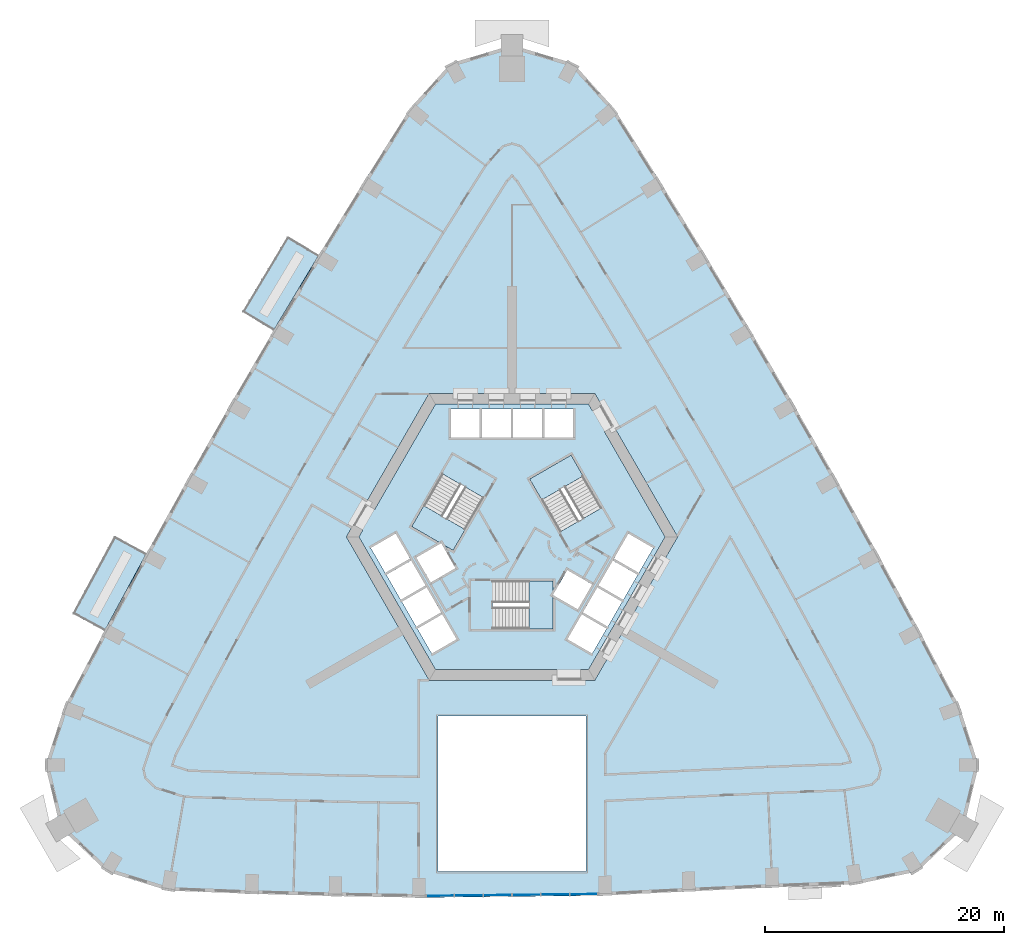
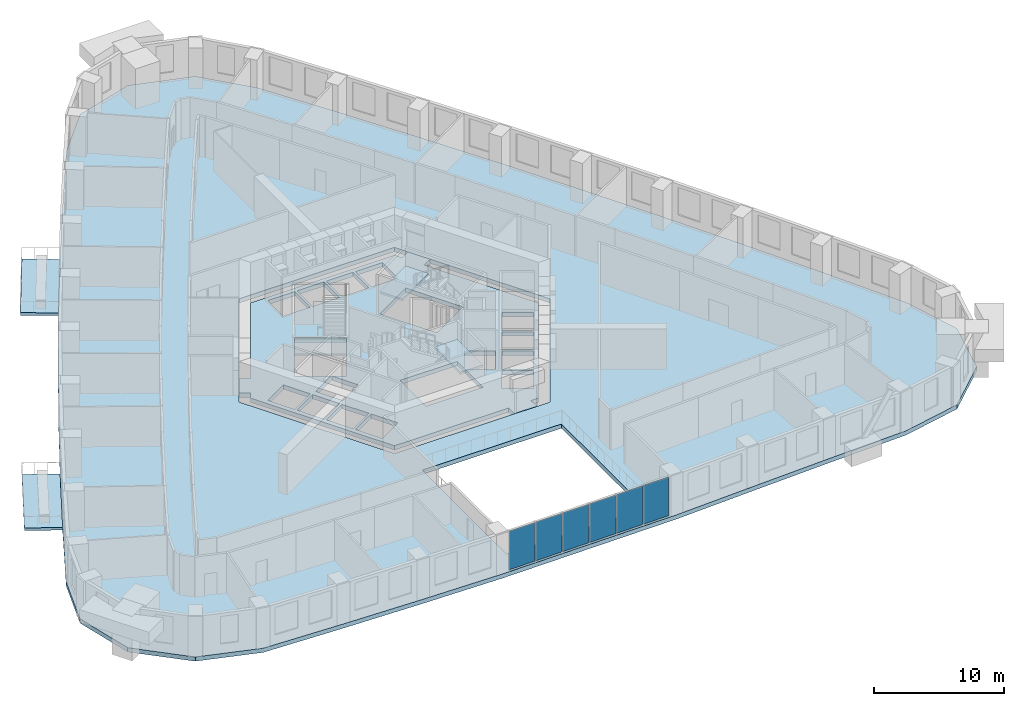
# One storey, part 3 of 15: 7 slabs, 6 plates, 4 elements without a shape of their own.
"""IFC4 building model written with IfcOpenShell, lengths in metres."""

from ifc_helpers import new_model, si_unit, direction, frame, origin, origin_2d, place, context, subcontext, project, spatial, polyline, rectangle, outline, extrude, material, layer, layer_set, type_object, element, aggregate, save


model = new_model("IFC4")

# Units and contexts
model_context = context("Model", 3, precision=1e-05, world=origin(), true_north=direction((0.0, 1.0)))
body_context = subcontext(model_context, "Body", "Model", "MODEL_VIEW")
ifc_project = project(units=[si_unit("LENGTHUNIT", "METRE"), si_unit("AREAUNIT", "SQUARE_METRE"), si_unit("VOLUMEUNIT", "CUBIC_METRE"), si_unit("PLANEANGLEUNIT", "RADIAN"), si_unit("MASSUNIT", "GRAM", prefix="KILO")], contexts=[model_context])

# Site, building, storey
site_placement = place(None, origin())
site = spatial("IfcSite", under=ifc_project, at=site_placement, CompositionType="ELEMENT")
building_placement = place(site_placement, origin())
building = spatial("IfcBuilding", under=site, at=building_placement, Name="Entoto Arch Interchange Tower", CompositionType="ELEMENT")
storey_placement = place(building_placement, frame((0.0, 0.0, 120.199951171875)))
storey = spatial("IfcBuildingStorey", under=building, at=storey_placement, Name="L26", CompositionType="ELEMENT", Elevation=120.199951171875)

# Slabs
ifc_material_1 = material(Name="Board-marked precast concrete C50/60", Category="concrete")
ifc_layer_1 = layer(ifc_material_1, 0.25)
ifc_layer_set_1 = layer_set([ifc_layer_1], Name="Board-marked precast concrete C50/60")
slab_type_1 = type_object("IfcSlabType", Name="BALCONY DECK PRECAST 250", PredefinedType="FLOOR", material=ifc_layer_set_1)
slab_1_placement = place(storey_placement, frame((0.0, 0.0, -0.25)))
element("IfcSlab", 1, at=slab_1_placement, inside=storey, type_object=slab_type_1, Name="Planted balcony NW-03 L26", PredefinedType="FLOOR", context=body_context, shape_type="SweptSolid", body=[
    extrude(outline(polyline([(-16.2109375, 26.007080078125), (-19.9169921875, 19.822998046875), (-22.447021484375, 21.339111328125), (-18.740966796875, 27.52294921875), (-16.2109375, 26.007080078125)])), origin(), (0.0, 0.0, 1.0), 0.25),
])
slab_2_placement = place(storey_placement, frame((0.0, 0.0, -0.25)))
element("IfcSlab", 2, at=slab_2_placement, inside=storey, type_object=slab_type_1, Name="Planted balcony NW-07 L26", PredefinedType="FLOOR", context=body_context, shape_type="SweptSolid", body=[
    extrude(outline(polyline([(-30.6279296875, 1.035888671875), (-34.06103515625, -5.303955078125), (-36.655029296875, -3.89892578125), (-33.221923828125, 2.44091796875), (-30.6279296875, 1.035888671875)])), origin(), (0.0, 0.0, 1.0), 0.25),
])
ifc_material_2 = material(Name="Concrete C40/50", Category="concrete")
ifc_layer_2 = layer(ifc_material_2, 0.39990234375)
ifc_layer_set_2 = layer_set([ifc_layer_2], Name="Concrete C40/50")
slab_type_2 = type_object("IfcSlabType", Name="Core floor slab 400 C40/50", PredefinedType="FLOOR", material=ifc_layer_set_2)
slab_3_placement = place(storey_placement, frame((0.0, 0.0, -0.39990234375)))
element("IfcSlab", 3, at=slab_3_placement, inside=storey, type_object=slab_type_2, Name="Core floor slab L26", PredefinedType="FLOOR", context=body_context, shape_type="SweptSolid", body=[
    extrude(outline(polyline([(5.75, -9.5), (3.75, -9.5), (3.75, -8.60009765625), (-6.408935546875, -8.60009765625), (-12.81689453125, 2.5), (-12.488037109375, 3.070068359375), (-13.26708984375, 3.52001953125), (-12.26708984375, 5.251953125), (-11.488037109375, 4.802001953125), (-6.408935546875, 13.60009765625), (6.408935546875, 13.60009765625), (6.738037109375, 13.030029296875), (7.51708984375, 13.47998046875), (8.51708984375, 11.748046875), (7.738037109375, 11.298095703125), (12.81689453125, 2.5), (6.408935546875, -8.60009765625), (5.75, -8.60009765625), (5.75, -9.5)]), holes=[polyline([(-4.637939453125, -6.06689453125), (-5.837890625, -3.988037109375), (-7.916015625, -5.18798828125), (-6.716064453125, -7.26708984375), (-4.637939453125, -6.06689453125)]), polyline([(-5.93798828125, -3.81494140625), (-7.137939453125, -1.737060546875), (-9.216064453125, -2.93701171875), (-8.01611328125, -5.014892578125), (-5.93798828125, -3.81494140625)]), polyline([(5.5048828125, -3.56494140625), (6.705078125, -1.487060546875), (4.626953125, -0.287109375), (3.449951171875, -2.324951171875), (3.449951171875, -1.199951171875), (-1.64990234375, -1.199951171875), (-1.64990234375, -5.199951171875), (3.449951171875, -5.199951171875), (3.449951171875, -2.3779296875), (5.5048828125, -3.56494140625)]), polyline([(-7.238037109375, -1.56298828125), (-8.43798828125, 0.514892578125), (-10.51611328125, -0.68505859375), (-9.31591796875, -2.762939453125), (-7.238037109375, -1.56298828125)]), polyline([(-4.72705078125, -0.113037109375), (-5.904052734375, 1.925048828125), (-4.928955078125, 1.362060546875), (-2.37890625, 5.779052734375), (-5.843017578125, 7.779052734375), (-8.39306640625, 3.362060546875), (-5.949951171875, 1.951904296875), (-8.0048828125, 0.764892578125), (-6.804931640625, -1.31298828125), (-4.72705078125, -0.113037109375)]), polyline([(-8.5380859375, 0.68798828125), (-9.738037109375, 2.76708984375), (-11.81591796875, 1.56689453125), (-10.615966796875, -0.511962890625), (-8.5380859375, 0.68798828125)]), polyline([(-5.10009765625, 10.800048828125), (-2.699951171875, 10.800048828125), (-2.699951171875, 13.199951171875), (-5.10009765625, 13.199951171875), (-5.10009765625, 10.800048828125)]), polyline([(-2.5, 10.800048828125), (-0.10009765625, 10.800048828125), (-0.10009765625, 13.199951171875), (-2.5, 13.199951171875), (-2.5, 10.800048828125)]), polyline([(5.837890625, -3.988037109375), (4.637939453125, -6.06689453125), (6.716064453125, -7.26708984375), (7.916015625, -5.18798828125), (5.837890625, -3.988037109375)]), polyline([(7.137939453125, -1.737060546875), (5.93798828125, -3.81494140625), (8.01611328125, -5.014892578125), (9.216064453125, -2.93701171875), (7.137939453125, -1.737060546875)]), polyline([(8.43798828125, 0.514892578125), (7.238037109375, -1.56298828125), (9.31591796875, -2.762939453125), (10.51611328125, -0.68505859375), (8.43798828125, 0.514892578125)]), polyline([(9.738037109375, 2.76708984375), (8.5380859375, 0.68798828125), (10.615966796875, -0.511962890625), (11.81591796875, 1.56689453125), (9.738037109375, 2.76708984375)]), polyline([(4.029052734375, 2.9208984375), (7.492919921875, 4.9208984375), (4.943115234375, 9.337890625), (1.47900390625, 7.337890625), (4.029052734375, 2.9208984375)]), polyline([(0.10009765625, 13.199951171875), (0.10009765625, 10.800048828125), (2.5, 10.800048828125), (2.5, 13.199951171875), (0.10009765625, 13.199951171875)]), polyline([(2.699951171875, 13.199951171875), (2.699951171875, 10.800048828125), (5.10009765625, 10.800048828125), (5.10009765625, 13.199951171875), (2.699951171875, 13.199951171875)])]), origin(), (0.0, 0.0, 1.0), 0.39990234375),
])

# Stair, slab
stair_type = type_object("IfcStairType", Name="EXIT STAIR RC 1800", PredefinedType="HALF_TURN_STAIR", material=ifc_material_2)
stair_1_placement = place(storey_placement, origin())
stair_1 = element("IfcStair", 4, at=stair_1_placement, inside=storey, type_object=stair_type, Name="L26 Exit stair S", PredefinedType="HALF_TURN_STAIR")
ifc_layer_3 = layer(ifc_material_2, 0.199951171875)
ifc_layer_set_3 = layer_set([ifc_layer_3], Name="Concrete C40/50")
slab_type_3 = type_object("IfcSlabType", Name="EXIT STAIR LANDING RC 200", PredefinedType="LANDING", material=ifc_layer_set_3)
slab_4_placement = place(storey_placement, frame((0.0, 0.0, 1.900146484375)))
slab_4 = element("IfcSlab", 5, at=slab_4_placement, type_object=slab_type_3, Name="ST-S landing 1", PredefinedType="LANDING", context=body_context, shape_type="SweptSolid", body=[
    extrude(outline(polyline([(1.429931640625, -5.199951171875), (3.449951171875, -5.199951171875), (3.449951171875, -1.199951171875), (1.429931640625, -1.199951171875), (1.429931640625, -5.199951171875)])), origin(), (0.0, 0.0, 1.0), 0.199951171875),
])
aggregate(stair_1, [slab_4])

stair_2_placement = place(storey_placement, origin())
stair_2 = element("IfcStair", 6, at=stair_2_placement, inside=storey, type_object=stair_type, Name="L26 Exit stair NE", PredefinedType="HALF_TURN_STAIR")
slab_5_placement = place(storey_placement, frame((0.0, 0.0, 1.900146484375)))
slab_5 = element("IfcSlab", 7, at=slab_5_placement, type_object=slab_type_3, Name="ST-NE landing 1", PredefinedType="LANDING", context=body_context, shape_type="SweptSolid", body=[
    extrude(outline(polyline([(5.953369140625, 7.58837890625), (4.943359375, 9.337890625), (1.479248046875, 7.337890625), (2.4892578125, 5.58837890625), (5.953369140625, 7.58837890625)])), origin(), (0.0, 0.0, 1.0), 0.199951171875),
])
aggregate(stair_2, [slab_5])

stair_3_placement = place(storey_placement, origin())
stair_3 = element("IfcStair", 8, at=stair_3_placement, inside=storey, type_object=stair_type, Name="L26 Exit stair NW", PredefinedType="HALF_TURN_STAIR")
slab_6_placement = place(storey_placement, frame((0.0, 0.0, 1.900146484375)))
slab_6 = element("IfcSlab", 9, at=slab_6_placement, type_object=slab_type_3, Name="ST-NW landing 1", PredefinedType="LANDING", context=body_context, shape_type="SweptSolid", body=[
    extrude(outline(polyline([(-7.38330078125, 5.111572265625), (-8.393310546875, 3.3623046875), (-4.92919921875, 1.3623046875), (-3.919189453125, 3.111572265625), (-7.38330078125, 5.111572265625)])), origin(), (0.0, 0.0, 1.0), 0.199951171875),
])
aggregate(stair_3, [slab_6])

# Curtain wall, plates
ifc_material_3 = material(Name="Aluminium, anodised", Category="aluminium")
curtain_wall_type = type_object("IfcCurtainWallType", Name="CURTAIN WALL ATRIUM", PredefinedType="NOTDEFINED", material=ifc_material_3)
curtain_wall_placement = place(storey_placement, origin())
curtain_wall = element("IfcCurtainWall", 10, at=curtain_wall_placement, inside=storey, type_object=curtain_wall_type, Name="Atrium glazing S-04 L26", PredefinedType="NOTDEFINED")
ifc_material_4 = material(Name="Clear glass, low-e double glazed", Category="glass")
ifc_layer_4 = layer(ifc_material_4, 0.031982421875)
ifc_layer_set_4 = layer_set([ifc_layer_4], Name="Clear glass, low-e double glazed")
plate_type = type_object("IfcPlateType", Name="GLAZING PANEL ATRIUM 32", PredefinedType="CURTAIN_PANEL", material=ifc_layer_set_4)
plate_1_placement = place(storey_placement, frame((-6.0166015625, -27.537353515625, 0.080078125), z_axis=(0.0, 0.0, 1.0), x_axis=(0.999939125654, 0.011033811041, 0.0)))
plate_1 = element("IfcPlate", 11, at=plate_1_placement, type_object=plate_type, Name="CWA panel 1.1", PredefinedType="CURTAIN_PANEL", context=body_context, shape_type="SweptSolid", body=[
    extrude(rectangle(XDim=2.266845703125, YDim=0.031982421875, at=origin_2d()), origin(), (0.0, 0.0, 1.0), 3.639892578125),
])
plate_2_placement = place(storey_placement, frame((-3.625, -27.510986328125, 0.080078125), z_axis=(0.0, 0.0, 1.0), x_axis=(0.999939125654, 0.011033811041, 0.0)))
plate_2 = element("IfcPlate", 12, at=plate_2_placement, type_object=plate_type, Name="CWA panel 2.1", PredefinedType="CURTAIN_PANEL", context=body_context, shape_type="SweptSolid", body=[
    extrude(rectangle(XDim=2.31689453125, YDim=0.031982421875, at=origin_2d()), origin(), (0.0, 0.0, 1.0), 3.639892578125),
])
plate_3_placement = place(storey_placement, frame((-1.208251953125, -27.484375, 0.080078125), z_axis=(0.0, 0.0, 1.0), x_axis=(0.999939125654, 0.011033811041, 0.0)))
plate_3 = element("IfcPlate", 13, at=plate_3_placement, type_object=plate_type, Name="CWA panel 3.1", PredefinedType="CURTAIN_PANEL", context=body_context, shape_type="SweptSolid", body=[
    extrude(rectangle(XDim=2.31689453125, YDim=0.031982421875, at=origin_2d()), origin(), (0.0, 0.0, 1.0), 3.639892578125),
])
plate_4_placement = place(storey_placement, frame((1.208251953125, -27.457763671875, 0.080078125), z_axis=(0.0, 0.0, 1.0), x_axis=(0.999939125654, 0.011033811041, 0.0)))
plate_4 = element("IfcPlate", 14, at=plate_4_placement, type_object=plate_type, Name="CWA panel 4.1", PredefinedType="CURTAIN_PANEL", context=body_context, shape_type="SweptSolid", body=[
    extrude(rectangle(XDim=2.31689453125, YDim=0.031982421875, at=origin_2d()), origin(), (0.0, 0.0, 1.0), 3.639892578125),
])
plate_5_placement = place(storey_placement, frame((3.625, -27.430908203125, 0.080078125), z_axis=(0.0, 0.0, 1.0), x_axis=(0.999939125654, 0.011033811041, 0.0)))
plate_5 = element("IfcPlate", 15, at=plate_5_placement, type_object=plate_type, Name="CWA panel 5.1", PredefinedType="CURTAIN_PANEL", context=body_context, shape_type="SweptSolid", body=[
    extrude(rectangle(XDim=2.31689453125, YDim=0.031982421875, at=origin_2d()), origin(), (0.0, 0.0, 1.0), 3.639892578125),
])
plate_6_placement = place(storey_placement, frame((6.0166015625, -27.404541015625, 0.080078125), z_axis=(0.0, 0.0, 1.0), x_axis=(0.999939125654, 0.011033811041, 0.0)))
plate_6 = element("IfcPlate", 16, at=plate_6_placement, type_object=plate_type, Name="CWA panel 6.1", PredefinedType="CURTAIN_PANEL", context=body_context, shape_type="SweptSolid", body=[
    extrude(rectangle(XDim=2.266845703125, YDim=0.031982421875, at=origin_2d()), origin(), (0.0, 0.0, 1.0), 3.639892578125),
])
aggregate(curtain_wall, [plate_1, plate_2, plate_3, plate_4, plate_5, plate_6])

# Slab
ifc_layer_5 = layer(ifc_material_2, 0.39990234375)
ifc_layer_set_5 = layer_set([ifc_layer_5], Name="Concrete C40/50")
slab_type_4 = type_object("IfcSlabType", Name="Post-tensioned flat plate 400 C40/50", PredefinedType="FLOOR", material=ifc_layer_set_5)
slab_7_placement = place(storey_placement, frame((0.0, 0.0, -0.39990234375)))
element("IfcSlab", 17, at=slab_7_placement, inside=storey, type_object=slab_type_4, Name="Floor slab L26", PredefinedType="FLOOR", context=body_context, shape_type="SweptSolid", body=[
    extrude(outline(polyline([(-28.783935546875, -27.10107421875), (-21.7890625, -27.368896484375), (-14.794921875, -27.56201171875), (-7.800048828125, -27.681884765625), (7.800048828125, -27.510009765625), (14.794921875, -27.1669921875), (21.7890625, -26.841064453125), (28.783935546875, -26.572998046875), (33.9150390625, -25.506103515625), (37.801025390625, -21.824951171875), (39.047119140625, -16.617919921875), (37.47900390625, -11.782958984375), (34.06103515625, -5.303955078125), (30.6279296875, 1.035888671875), (27.1259765625, 7.3369140625), (23.555908203125, 13.60009765625), (19.9169921875, 19.822998046875), (16.2109375, 26.007080078125), (12.43798828125, 32.14990234375), (8.534912109375, 38.34912109375), (5.132080078125, 42.1240234375), (0.0, 43.64892578125), (-5.132080078125, 42.1240234375), (-8.534912109375, 38.34912109375), (-12.43798828125, 32.14990234375), (-16.2109375, 26.007080078125), (-19.9169921875, 19.822998046875), (-23.555908203125, 13.60009765625), (-27.1259765625, 7.3369140625), (-30.6279296875, 1.035888671875), (-34.06103515625, -5.303955078125), (-37.47900390625, -11.782958984375), (-39.047119140625, -16.617919921875), (-37.801025390625, -21.824951171875), (-33.9150390625, -25.506103515625), (-28.783935546875, -27.10107421875)]), holes=[polyline([(6.199951171875, -25.510009765625), (6.199951171875, -12.5), (-6.199951171875, -12.5), (-6.199951171875, -25.510009765625), (6.199951171875, -25.510009765625)]), polyline([(13.85595703125, 2.5), (6.927978515625, 14.5), (-6.927978515625, 14.5), (-13.85595703125, 2.5), (-6.927978515625, -9.5), (6.927978515625, -9.5), (13.85595703125, 2.5)])]), origin(), (0.0, 0.0, 1.0), 0.39990234375),
])

save(model, "model.ifc")
